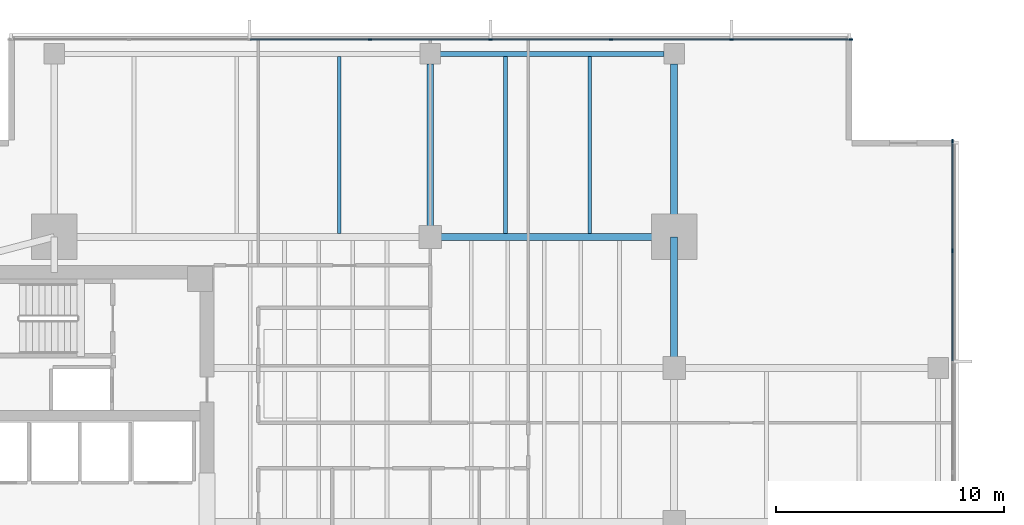
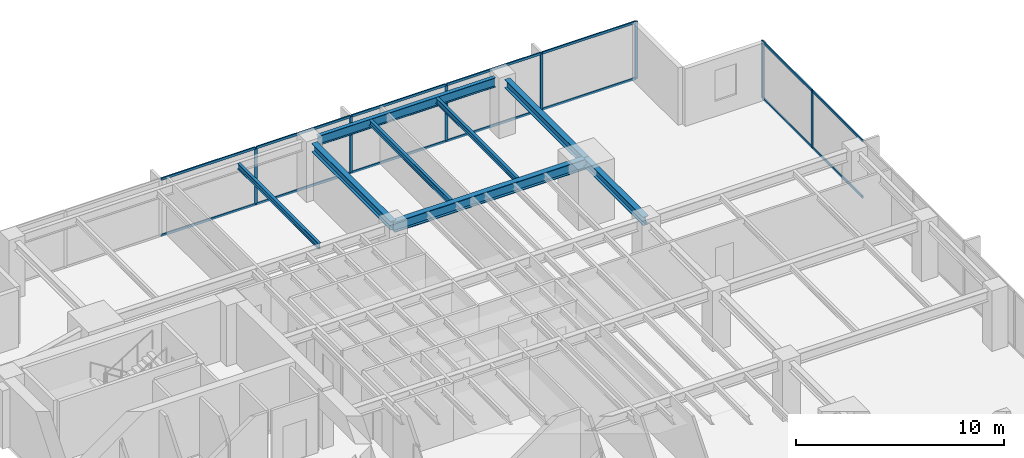
# One storey, part 6 of 14: 21 members, 8 beams, 2 elements without a shape of their own.
"""IFC4 building model written with IfcOpenShell, lengths in metres."""

from ifc_helpers import new_model, si_unit, direction, frame, origin, origin_2d, place, context, subcontext, project, spatial, rectangle, i_section, extrude, material, layer, layer_set, material_profile, profile_set, type_object, element, aggregate, save


model = new_model("IFC4")

# Units and contexts
model_context = context("Model", 3, precision=1e-05, world=origin(), true_north=direction((0.0, 1.0)))
body_context = subcontext(model_context, "Body", "Model", "MODEL_VIEW")
ifc_project = project(units=[si_unit("LENGTHUNIT", "METRE"), si_unit("AREAUNIT", "SQUARE_METRE"), si_unit("VOLUMEUNIT", "CUBIC_METRE"), si_unit("PLANEANGLEUNIT", "RADIAN"), si_unit("MASSUNIT", "GRAM", prefix="KILO")], contexts=[model_context])

# Site, building, storey
site_placement = place(None, origin())
site = spatial("IfcSite", under=ifc_project, at=site_placement, CompositionType="ELEMENT")
building_placement = place(site_placement, origin())
building = spatial("IfcBuilding", under=site, at=building_placement, Name="Kinhvarn Gate Tower", CompositionType="ELEMENT")
storey_placement = place(building_placement, frame((0.0, 0.0, 162.60009765625)))
storey = spatial("IfcBuildingStorey", under=building, at=storey_placement, Name="L43", CompositionType="ELEMENT", Elevation=162.60009765625)

# Curtain wall, members
ifc_material_1 = material(Name="Anodised aluminium AW-6063", Category="aluminium")
ifc_layer = layer(ifc_material_1, 0.179931640625)
ifc_layer_set = layer_set([ifc_layer], Name="Anodised aluminium AW-6063")
curtain_wall_type = type_object("IfcCurtainWallType", Name="CW-SYS-3", PredefinedType="NOTDEFINED", material=ifc_layer_set)
curtain_wall_1_placement = place(storey_placement, origin())
curtain_wall_1 = element("IfcCurtainWall", 1, at=curtain_wall_1_placement, inside=storey, type_object=curtain_wall_type, Name="Curtain Wall CW3 (L43)", PredefinedType="NOTDEFINED")
ifc_material_profile_1 = material_profile(ifc_material_1, rectangle(XDim=0.06494140625, YDim=0.159912109375, at=origin_2d()), Name="ALU 65x160")
ifc_profile_set_1 = profile_set([ifc_material_profile_1], Name="Anodised aluminium AW-6063")
member_type_1 = type_object("IfcMemberType", Name="CW-MUL-160", PredefinedType="MULLION", material=ifc_profile_set_1)
member_1_placement = place(storey_placement, frame((45.967529296875, 46.409912109375, 0.0), z_axis=(0.0, 0.0, 1.0), x_axis=(0.0, -1.0, 0.0)))
member_1 = element("IfcMember", 2, at=member_1_placement, type_object=member_type_1, Name="CW3 mullion 1", PredefinedType="MULLION", context=body_context, shape_type="SweptSolid", body=[
    extrude(rectangle(XDim=0.06494140625, YDim=0.159912109375, at=origin_2d()), origin(), (0.0, 0.0, 1.0), 3.369873046875),
])
member_2_placement = place(storey_placement, frame((40.71435546875, 46.409912109375, 0.0), z_axis=(0.0, 0.0, 1.0), x_axis=(0.0, -1.0, 0.0)))
member_2 = element("IfcMember", 3, at=member_2_placement, type_object=member_type_1, Name="CW3 mullion 2", PredefinedType="MULLION", context=body_context, shape_type="SweptSolid", body=[
    extrude(rectangle(XDim=0.06494140625, YDim=0.159912109375, at=origin_2d()), origin(), (0.0, 0.0, 1.0), 3.369873046875),
])
member_3_placement = place(storey_placement, frame((35.428466796875, 46.409912109375, 0.0), z_axis=(0.0, 0.0, 1.0), x_axis=(0.0, -1.0, 0.0)))
member_3 = element("IfcMember", 4, at=member_3_placement, type_object=member_type_1, Name="CW3 mullion 3", PredefinedType="MULLION", context=body_context, shape_type="SweptSolid", body=[
    extrude(rectangle(XDim=0.06494140625, YDim=0.159912109375, at=origin_2d()), origin(), (0.0, 0.0, 1.0), 3.369873046875),
])
member_4_placement = place(storey_placement, frame((30.142822265625, 46.409912109375, 0.0), z_axis=(0.0, 0.0, 1.0), x_axis=(0.0, -1.0, 0.0)))
member_4 = element("IfcMember", 5, at=member_4_placement, type_object=member_type_1, Name="CW3 mullion 4", PredefinedType="MULLION", context=body_context, shape_type="SweptSolid", body=[
    extrude(rectangle(XDim=0.06494140625, YDim=0.159912109375, at=origin_2d()), origin(), (0.0, 0.0, 1.0), 3.369873046875),
])
member_5_placement = place(storey_placement, frame((24.857177734375, 46.409912109375, 0.0), z_axis=(0.0, 0.0, 1.0), x_axis=(0.0, -1.0, 0.0)))
member_5 = element("IfcMember", 6, at=member_5_placement, type_object=member_type_1, Name="CW3 mullion 5", PredefinedType="MULLION", context=body_context, shape_type="SweptSolid", body=[
    extrude(rectangle(XDim=0.06494140625, YDim=0.159912109375, at=origin_2d()), origin(), (0.0, 0.0, 1.0), 3.369873046875),
])

curtain_wall_2_placement = place(storey_placement, origin())
curtain_wall_2 = element("IfcCurtainWall", 7, at=curtain_wall_2_placement, inside=storey, type_object=curtain_wall_type, Name="Curtain Wall CW3 (L43)", PredefinedType="NOTDEFINED")
member_6_placement = place(storey_placement, frame((50.409912109375, 37.142822265625, 0.0), z_axis=(0.0, 0.0, 1.0), x_axis=(-1.0, 0.0, 0.0)))
member_6 = element("IfcMember", 8, at=member_6_placement, type_object=member_type_1, Name="CW3 mullion 7", PredefinedType="MULLION", context=body_context, shape_type="SweptSolid", body=[
    extrude(rectangle(XDim=0.06494140625, YDim=0.159912109375, at=origin_2d()), origin(), (0.0, 0.0, 1.0), 3.369873046875),
])
member_7_placement = place(storey_placement, frame((50.409912109375, 41.967529296875, 0.0), z_axis=(0.0, 0.0, 1.0), x_axis=(-1.0, 0.0, 0.0)))
member_7 = element("IfcMember", 9, at=member_7_placement, type_object=member_type_1, Name="CW3 mullion 8", PredefinedType="MULLION", context=body_context, shape_type="SweptSolid", body=[
    extrude(rectangle(XDim=0.06494140625, YDim=0.159912109375, at=origin_2d()), origin(), (0.0, 0.0, 1.0), 3.369873046875),
])

# Member
ifc_material_profile_2 = material_profile(ifc_material_1, rectangle(XDim=0.070068359375, YDim=0.139892578125, at=origin_2d()), Name="ALU 70x140")
ifc_profile_set_2 = profile_set([ifc_material_profile_2], Name="Anodised aluminium AW-6063")
member_type_2 = type_object("IfcMemberType", Name="CW-TRN-140", PredefinedType="USERDEFINED", material=ifc_profile_set_2)
member_8_placement = place(storey_placement, frame((45.93505859375, 46.409912109375, 0.034912109375), z_axis=(-1.0, 0.0, 0.0), x_axis=(0.0, -1.0, 0.0)))
member_8 = element("IfcMember", 10, at=member_8_placement, type_object=member_type_2, Name="CW3 transom 1.1", ObjectType="TRANSOM", PredefinedType="USERDEFINED", context=body_context, shape_type="SweptSolid", body=[
    extrude(rectangle(XDim=0.070068359375, YDim=0.139892578125, at=origin_2d()), origin(), (0.0, 0.0, 1.0), 5.188232421875),
])

member_9_placement = place(storey_placement, frame((45.93505859375, 46.409912109375, 3.3349609375), z_axis=(-1.0, 0.0, 0.0), x_axis=(0.0, -1.0, 0.0)))
member_9 = element("IfcMember", 11, at=member_9_placement, type_object=member_type_2, Name="CW3 transom 1.2", ObjectType="TRANSOM", PredefinedType="USERDEFINED", context=body_context, shape_type="SweptSolid", body=[
    extrude(rectangle(XDim=0.070068359375, YDim=0.139892578125, at=origin_2d()), origin(), (0.0, 0.0, 1.0), 5.188232421875),
])

member_10_placement = place(storey_placement, frame((40.681884765625, 46.409912109375, 0.034912109375), z_axis=(-1.0, 0.0, 0.0), x_axis=(0.0, -1.0, 0.0)))
member_10 = element("IfcMember", 12, at=member_10_placement, type_object=member_type_2, Name="CW3 transom 2.1", ObjectType="TRANSOM", PredefinedType="USERDEFINED", context=body_context, shape_type="SweptSolid", body=[
    extrude(rectangle(XDim=0.070068359375, YDim=0.139892578125, at=origin_2d()), origin(), (0.0, 0.0, 1.0), 5.220703125),
])

member_11_placement = place(storey_placement, frame((40.681884765625, 46.409912109375, 3.3349609375), z_axis=(-1.0, 0.0, 0.0), x_axis=(0.0, -1.0, 0.0)))
member_11 = element("IfcMember", 13, at=member_11_placement, type_object=member_type_2, Name="CW3 transom 2.2", ObjectType="TRANSOM", PredefinedType="USERDEFINED", context=body_context, shape_type="SweptSolid", body=[
    extrude(rectangle(XDim=0.070068359375, YDim=0.139892578125, at=origin_2d()), origin(), (0.0, 0.0, 1.0), 5.220703125),
])

member_12_placement = place(storey_placement, frame((35.39599609375, 46.409912109375, 0.034912109375), z_axis=(-1.0, 0.0, 0.0), x_axis=(0.0, -1.0, 0.0)))
member_12 = element("IfcMember", 14, at=member_12_placement, type_object=member_type_2, Name="CW3 transom 3.1", ObjectType="TRANSOM", PredefinedType="USERDEFINED", context=body_context, shape_type="SweptSolid", body=[
    extrude(rectangle(XDim=0.070068359375, YDim=0.139892578125, at=origin_2d()), origin(), (0.0, 0.0, 1.0), 5.220703125),
])

member_13_placement = place(storey_placement, frame((35.39599609375, 46.409912109375, 3.3349609375), z_axis=(-1.0, 0.0, 0.0), x_axis=(0.0, -1.0, 0.0)))
member_13 = element("IfcMember", 15, at=member_13_placement, type_object=member_type_2, Name="CW3 transom 3.2", ObjectType="TRANSOM", PredefinedType="USERDEFINED", context=body_context, shape_type="SweptSolid", body=[
    extrude(rectangle(XDim=0.070068359375, YDim=0.139892578125, at=origin_2d()), origin(), (0.0, 0.0, 1.0), 5.220703125),
])

member_14_placement = place(storey_placement, frame((30.1103515625, 46.409912109375, 0.034912109375), z_axis=(-1.0, 0.0, 0.0), x_axis=(0.0, -1.0, 0.0)))
member_14 = element("IfcMember", 16, at=member_14_placement, type_object=member_type_2, Name="CW3 transom 4.1", ObjectType="TRANSOM", PredefinedType="USERDEFINED", context=body_context, shape_type="SweptSolid", body=[
    extrude(rectangle(XDim=0.070068359375, YDim=0.139892578125, at=origin_2d()), origin(), (0.0, 0.0, 1.0), 5.220703125),
])

member_15_placement = place(storey_placement, frame((30.1103515625, 46.409912109375, 3.3349609375), z_axis=(-1.0, 0.0, 0.0), x_axis=(0.0, -1.0, 0.0)))
member_15 = element("IfcMember", 17, at=member_15_placement, type_object=member_type_2, Name="CW3 transom 4.2", ObjectType="TRANSOM", PredefinedType="USERDEFINED", context=body_context, shape_type="SweptSolid", body=[
    extrude(rectangle(XDim=0.070068359375, YDim=0.139892578125, at=origin_2d()), origin(), (0.0, 0.0, 1.0), 5.220703125),
])

member_16_placement = place(storey_placement, frame((24.82470703125, 46.409912109375, 0.034912109375), z_axis=(-1.0, 0.0, 0.0), x_axis=(0.0, -1.0, 0.0)))
member_16 = element("IfcMember", 18, at=member_16_placement, type_object=member_type_2, Name="CW3 transom 5.1", ObjectType="TRANSOM", PredefinedType="USERDEFINED", context=body_context, shape_type="SweptSolid", body=[
    extrude(rectangle(XDim=0.070068359375, YDim=0.139892578125, at=origin_2d()), origin(), (0.0, 0.0, 1.0), 5.220703125),
])

member_17_placement = place(storey_placement, frame((24.82470703125, 46.409912109375, 3.3349609375), z_axis=(-1.0, 0.0, 0.0), x_axis=(0.0, -1.0, 0.0)))
member_17 = element("IfcMember", 19, at=member_17_placement, type_object=member_type_2, Name="CW3 transom 5.2", ObjectType="TRANSOM", PredefinedType="USERDEFINED", context=body_context, shape_type="SweptSolid", body=[
    extrude(rectangle(XDim=0.070068359375, YDim=0.139892578125, at=origin_2d()), origin(), (0.0, 0.0, 1.0), 5.220703125),
])

aggregate(curtain_wall_1, [member_1, member_2, member_3, member_4, member_5, member_8, member_9, member_10, member_11, member_12, member_13, member_14, member_15, member_16, member_17])

member_18_placement = place(storey_placement, frame((50.409912109375, 32.318115234375, 0.034912109375), z_axis=(0.0, 1.0, 0.0), x_axis=(-1.0, 0.0, 0.0)))
member_18 = element("IfcMember", 20, at=member_18_placement, type_object=member_type_2, Name="CW3 transom 6.1", ObjectType="TRANSOM", PredefinedType="USERDEFINED", context=body_context, shape_type="SweptSolid", body=[
    extrude(rectangle(XDim=0.070068359375, YDim=0.139892578125, at=origin_2d()), origin(), (0.0, 0.0, 1.0), 4.792236328125),
])

member_19_placement = place(storey_placement, frame((50.409912109375, 32.318115234375, 3.3349609375), z_axis=(0.0, 1.0, 0.0), x_axis=(-1.0, 0.0, 0.0)))
member_19 = element("IfcMember", 21, at=member_19_placement, type_object=member_type_2, Name="CW3 transom 6.2", ObjectType="TRANSOM", PredefinedType="USERDEFINED", context=body_context, shape_type="SweptSolid", body=[
    extrude(rectangle(XDim=0.070068359375, YDim=0.139892578125, at=origin_2d()), origin(), (0.0, 0.0, 1.0), 4.792236328125),
])

member_20_placement = place(storey_placement, frame((50.409912109375, 37.17529296875, 0.034912109375), z_axis=(0.0, 1.0, 0.0), x_axis=(-1.0, 0.0, 0.0)))
member_20 = element("IfcMember", 22, at=member_20_placement, type_object=member_type_2, Name="CW3 transom 7.1", ObjectType="TRANSOM", PredefinedType="USERDEFINED", context=body_context, shape_type="SweptSolid", body=[
    extrude(rectangle(XDim=0.070068359375, YDim=0.139892578125, at=origin_2d()), origin(), (0.0, 0.0, 1.0), 4.759765625),
])

member_21_placement = place(storey_placement, frame((50.409912109375, 37.17529296875, 3.3349609375), z_axis=(0.0, 1.0, 0.0), x_axis=(-1.0, 0.0, 0.0)))
member_21 = element("IfcMember", 23, at=member_21_placement, type_object=member_type_2, Name="CW3 transom 7.2", ObjectType="TRANSOM", PredefinedType="USERDEFINED", context=body_context, shape_type="SweptSolid", body=[
    extrude(rectangle(XDim=0.070068359375, YDim=0.139892578125, at=origin_2d()), origin(), (0.0, 0.0, 1.0), 4.759765625),
])

aggregate(curtain_wall_2, [member_6, member_7, member_18, member_19, member_20, member_21])

# Beams
ifc_material_2 = material(Name="Steel S355", Category="steel")
ifc_material_profile_3 = material_profile(ifc_material_2, i_section(OverallWidth=0.300048828125, OverallDepth=0.5, WebThickness=0.014404296875, FlangeThickness=0.028076171875, at=origin_2d()), Name="HEB 500")
ifc_profile_set_3 = profile_set([ifc_material_profile_3], Name="Steel S355")
beam_type_1 = type_object("IfcBeamType", Name="STL-HEB500", PredefinedType="BEAM", material=ifc_profile_set_3)
for number, where, z_axis, x_axis, name in (
    (24, (27.5, 37.75, 3.119873046875), (0.0, 1.0, 0.0), (-1.0, 0.0, 0.0), "Floor Beam PG-14 (L43 SP27-N-TIE)"),
    (25, (38.199951171875, 37.75, 3.119873046875), (0.0, 1.0, 0.0), (-1.0, 0.0, 0.0), "Floor Beam PG-14 (L43 MCE-N)"),
):
    element("IfcBeam", number, at=place(storey_placement, frame(where, z_axis=z_axis, x_axis=x_axis)), inside=storey, type_object=beam_type_1, Name=name, PredefinedType="BEAM", context=body_context, shape_type="SweptSolid", body=[
        extrude(i_section(OverallWidth=0.300048828125, OverallDepth=0.5, WebThickness=0.014404296875, FlangeThickness=0.028076171875, at=origin_2d()), origin(), (0.0, 0.0, 1.0), 7.594970703125),
    ])
beam_1_placement = place(storey_placement, frame((38.199951171875, 32.0, 3.119873046875), z_axis=(0.0, 1.0, 0.0), x_axis=(-1.0, 0.0, 0.0)))
element("IfcBeam", 26, at=beam_1_placement, inside=storey, type_object=beam_type_1, Name="Floor Beam PG-14 (L43 MG-E-32)", PredefinedType="BEAM", context=body_context, shape_type="SweptSolid", body=[
    extrude(i_section(OverallWidth=0.300048828125, OverallDepth=0.5, WebThickness=0.014404296875, FlangeThickness=0.028076171875, at=origin_2d()), origin(), (0.0, 0.0, 1.0), 5.75),
])
ifc_material_profile_4 = material_profile(ifc_material_2, i_section(OverallWidth=0.300048828125, OverallDepth=0.60009765625, WebThickness=0.015380859375, FlangeThickness=0.030029296875, at=origin_2d()), Name="HEB 600")
ifc_profile_set_4 = profile_set([ifc_material_profile_4], Name="Steel S355")
beam_type_2 = type_object("IfcBeamType", Name="STL-HEB600", PredefinedType="BEAM", material=ifc_profile_set_4)
beam_2_placement = place(storey_placement, frame((27.5, 37.75, 3.06982421875), z_axis=(1.0, 0.0, 0.0), x_axis=(0.0, 1.0, 0.0)))
element("IfcBeam", 27, at=beam_2_placement, inside=storey, type_object=beam_type_2, Name="Floor Beam PG-16 (L43 MG-N2)", PredefinedType="BEAM", context=body_context, shape_type="SweptSolid", body=[
    extrude(i_section(OverallWidth=0.300048828125, OverallDepth=0.60009765625, WebThickness=0.015380859375, FlangeThickness=0.030029296875, at=origin_2d()), origin(), (0.0, 0.0, 1.0), 10.699951171875),
])
ifc_material_profile_5 = material_profile(ifc_material_2, i_section(OverallWidth=0.159912109375, OverallDepth=0.330078125, WebThickness=0.007568359375, FlangeThickness=0.011474609375, at=origin_2d()), Name="IPE 330")
ifc_profile_set_5 = profile_set([ifc_material_profile_5], Name="Steel S355")
beam_type_3 = type_object("IfcBeamType", Name="STL-IPE330", PredefinedType="JOIST", material=ifc_profile_set_5)
for number, where, z_axis, x_axis, name in (
    (28, (23.5, 37.89990234375, 3.204833984375), (0.0, 1.0, 0.0), (-1.0, 0.0, 0.0), "Floor Joist SB-03 (L43 JN-X235)"),
    (29, (30.800048828125, 37.89990234375, 3.204833984375), (0.0, 1.0, 0.0), (-1.0, 0.0, 0.0), "Floor Joist SB-03 (L43 JN-X308)"),
    (30, (34.5, 37.89990234375, 3.204833984375), (0.0, 1.0, 0.0), (-1.0, 0.0, 0.0), "Floor Joist SB-03 (L43 JN-X345)"),
):
    element("IfcBeam", number, at=place(storey_placement, frame(where, z_axis=z_axis, x_axis=x_axis)), inside=storey, type_object=beam_type_3, Name=name, PredefinedType="JOIST", context=body_context, shape_type="SweptSolid", body=[
        extrude(i_section(OverallWidth=0.159912109375, OverallDepth=0.330078125, WebThickness=0.007568359375, FlangeThickness=0.011474609375, at=origin_2d()), origin(), (0.0, 0.0, 1.0), 7.775146484375),
    ])
ifc_material_profile_6 = material_profile(ifc_material_2, i_section(OverallWidth=0.2099609375, OverallDepth=0.550048828125, WebThickness=0.010986328125, FlangeThickness=0.01708984375, at=origin_2d()), Name="IPE 550")
ifc_profile_set_6 = profile_set([ifc_material_profile_6], Name="Steel S355")
beam_type_4 = type_object("IfcBeamType", Name="STL-IPE550", PredefinedType="SPANDREL", material=ifc_profile_set_6)
beam_3_placement = place(storey_placement, frame((27.93505859375, 45.780029296875, 3.094970703125), z_axis=(1.0, 0.0, 0.0), x_axis=(0.0, 1.0, 0.0)))
element("IfcBeam", 31, at=beam_3_placement, inside=storey, type_object=beam_type_4, Name="Floor Spandrel SB-08 (L43 SP-N2)", PredefinedType="SPANDREL", context=body_context, shape_type="SweptSolid", body=[
    extrude(i_section(OverallWidth=0.2099609375, OverallDepth=0.550048828125, WebThickness=0.010986328125, FlangeThickness=0.01708984375, at=origin_2d()), origin(), (0.0, 0.0, 1.0), 9.829833984375),
])

save(model, "model.ifc")
